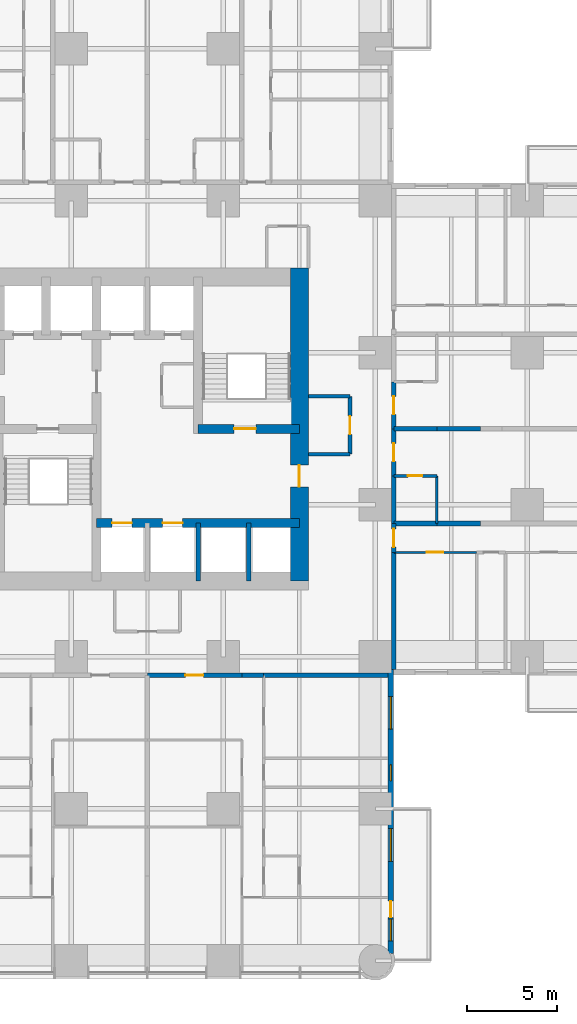
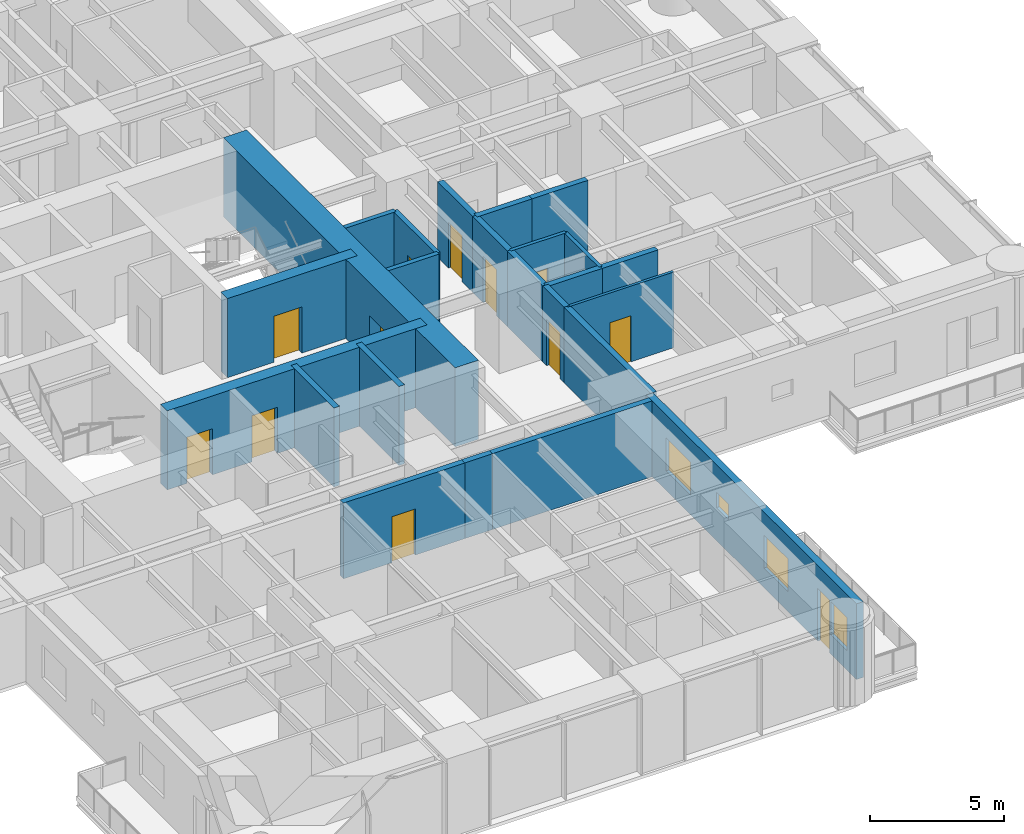
# One storey, part 10 of 17: 24 walls, 12 doors, 4 windows, 16 openings.
"""IFC4 building model written with IfcOpenShell, lengths in metres."""

from ifc_helpers import new_model, si_unit, direction, frame, frame_2d, origin, place, context, subcontext, project, spatial, rectangle, extrude, material, layer, layer_set, type_object, element, fill, save


model = new_model("IFC4")

# Units and contexts
model_context = context("Model", 3, precision=1e-05, world=origin(), true_north=direction((0.0, 1.0)))
body_context = subcontext(model_context, "Body", "Model", "MODEL_VIEW")
ifc_project = project(units=[si_unit("LENGTHUNIT", "METRE"), si_unit("AREAUNIT", "SQUARE_METRE"), si_unit("VOLUMEUNIT", "CUBIC_METRE"), si_unit("PLANEANGLEUNIT", "RADIAN"), si_unit("MASSUNIT", "GRAM", prefix="KILO")], contexts=[model_context])

# Site, building, storey
site_placement = place(None, origin())
site = spatial("IfcSite", under=ifc_project, at=site_placement, CompositionType="ELEMENT")
building_placement = place(site_placement, origin())
building = spatial("IfcBuilding", under=site, at=building_placement, Name="Torre Alcanfor", CompositionType="ELEMENT")
storey_placement = place(building_placement, frame((0.0, 0.0, 88.5)))
storey = spatial("IfcBuildingStorey", under=building, at=storey_placement, Name="L22", CompositionType="ELEMENT", Elevation=88.5)

# Wall, opening, door
ifc_material_1 = material(Name="Concrete block masonry, hollow blocks NMX-C-404 9 MPa", Category="masonry")
ifc_layer_1 = layer(ifc_material_1, 0.25)
ifc_layer_set_1 = layer_set([ifc_layer_1], Name="Apartment entrance wall 250 EI 60")
wall_type_1 = type_object("IfcWallType", Name="Apartment entrance wall 250 EI 60", PredefinedType="PARTITIONING", material=ifc_layer_set_1)
wall_1_placement = place(storey_placement, frame((43.02490234375, 32.0, 0.0), z_axis=(0.0, 0.0, 1.0), x_axis=(0.0, -1.0, 0.0)))
wall_1 = element("IfcWall", 1, at=wall_1_placement, inside=storey, type_object=wall_type_1, Name="Partition L22-CORR / L22-E1A-FOYER", PredefinedType="PARTITIONING", context=body_context, shape_type="SweptSolid", body=[
    extrude(rectangle(XDim=2.60009765625, YDim=0.25, at=frame_2d((1.300048828125, 0.0))), origin(), (0.0, 0.0, 1.0), 3.449951171875),
])
opening_1_placement = place(wall_1_placement, frame((0.800048828125, 0.0, 0.0)))
opening_1 = element("IfcOpeningElement", 2, at=opening_1_placement, cuts=wall_1, Name="Opening D-A1", PredefinedType="OPENING", context=body_context, shape_type="SweptSolid", body=[
    extrude(rectangle(XDim=1.0, YDim=2.10009765625, at=frame_2d((0.5, 1.050048828125))), frame((0.0, 0.135009765625, 0.0), z_axis=(0.0, -1.0, 0.0), x_axis=(1.0, 0.0, 0.0)), (0.0, 0.0, 1.0), 0.27001953125),
])
ifc_material_2 = material(Name="Galvanised steel sheet ASTM A653", Category="steel")
door_type_1 = type_object("IfcDoorType", Name="Apartment entrance door FD60 1000x2100", OperationType="SINGLE_SWING_LEFT", PredefinedType="DOOR", material=ifc_material_2)
door_1_placement = place(opening_1_placement, origin())
door_1 = element("IfcDoor", 3, at=door_1_placement, inside=storey, type_object=door_type_1, Name="Apartment entrance L22-E1A", OperationType="SINGLE_SWING_LEFT", OverallHeight=2.10009765625, OverallWidth=1.0, PredefinedType="DOOR", context=body_context, shape_type="SweptSolid", body=[
    extrude(rectangle(XDim=1.0, YDim=2.10009765625, at=frame_2d((0.5, 1.050048828125))), frame((0.0, 0.02490234375, 0.0), z_axis=(0.0, -1.0, 0.0), x_axis=(1.0, 0.0, 0.0)), (0.0, 0.0, 1.0), 0.050048828125),
])
fill(opening_1, door_1)

wall_2_placement = place(storey_placement, frame((43.02490234375, 29.39990234375, 0.0), z_axis=(0.0, 0.0, 1.0), x_axis=(0.0, -1.0, 0.0)))
wall_2 = element("IfcWall", 4, at=wall_2_placement, inside=storey, type_object=wall_type_1, Name="Partition L22-CORR / L22-E2A-FOYER", PredefinedType="PARTITIONING", context=body_context, shape_type="SweptSolid", body=[
    extrude(rectangle(XDim=2.599853515625, YDim=0.25, at=frame_2d((1.2998046875, 0.0))), origin(), (0.0, 0.0, 1.0), 3.449951171875),
])
opening_2_placement = place(wall_2_placement, frame((0.800048828125, 0.0, 0.0)))
opening_2 = element("IfcOpeningElement", 5, at=opening_2_placement, cuts=wall_2, Name="Opening D-A1", PredefinedType="OPENING", context=body_context, shape_type="SweptSolid", body=[
    extrude(rectangle(XDim=1.0, YDim=2.10009765625, at=frame_2d((0.5, 1.050048828125))), frame((0.0, 0.135009765625, 0.0), z_axis=(0.0, -1.0, 0.0), x_axis=(1.0, 0.0, 0.0)), (0.0, 0.0, 1.0), 0.27001953125),
])
door_2_placement = place(opening_2_placement, origin())
door_2 = element("IfcDoor", 6, at=door_2_placement, inside=storey, type_object=door_type_1, Name="Apartment entrance L22-E2A", OperationType="SINGLE_SWING_LEFT", OverallHeight=2.10009765625, OverallWidth=1.0, PredefinedType="DOOR", context=body_context, shape_type="SweptSolid", body=[
    extrude(rectangle(XDim=1.0, YDim=2.10009765625, at=frame_2d((0.5, 1.050048828125))), frame((0.0, 0.02490234375, 0.0), z_axis=(0.0, -1.0, 0.0), x_axis=(1.0, 0.0, 0.0)), (0.0, 0.0, 1.0), 0.050048828125),
])
fill(opening_2, door_2)

# Wall
wall_3_placement = place(storey_placement, frame((43.02490234375, 26.800048828125, 0.0), z_axis=(0.0, 0.0, 1.0), x_axis=(0.0, -1.0, 0.0)))
element("IfcWall", 7, at=wall_3_placement, inside=storey, type_object=wall_type_1, Name="Partition L22-CORR / L22-E2A-BATH", PredefinedType="PARTITIONING", context=body_context, shape_type="SweptSolid", body=[
    extrude(rectangle(XDim=2.629150390625, YDim=0.25, at=frame_2d((1.314453125, 0.0))), origin(), (0.0, 0.0, 1.0), 3.449951171875),
])

# Wall, opening, door
wall_4_placement = place(storey_placement, frame((43.02490234375, 24.1708984375, 0.0), z_axis=(0.0, 0.0, 1.0), x_axis=(0.0, -1.0, 0.0)))
wall_4 = element("IfcWall", 8, at=wall_4_placement, inside=storey, type_object=wall_type_1, Name="Partition L22-CORR / L22-E2B-HALL", PredefinedType="PARTITIONING", context=body_context, shape_type="SweptSolid", body=[
    extrude(rectangle(XDim=1.599853515625, YDim=0.25, at=frame_2d((0.7998046875, 0.0))), origin(), (0.0, 0.0, 1.0), 3.449951171875),
])
opening_3_placement = place(wall_4_placement, frame((0.300048828125, 0.0, 0.0)))
opening_3 = element("IfcOpeningElement", 9, at=opening_3_placement, cuts=wall_4, Name="Opening D-A1", PredefinedType="OPENING", context=body_context, shape_type="SweptSolid", body=[
    extrude(rectangle(XDim=1.0, YDim=2.10009765625, at=frame_2d((0.5, 1.050048828125))), frame((0.0, 0.135009765625, 0.0), z_axis=(0.0, -1.0, 0.0), x_axis=(1.0, 0.0, 0.0)), (0.0, 0.0, 1.0), 0.27001953125),
])
door_3_placement = place(opening_3_placement, origin())
door_3 = element("IfcDoor", 10, at=door_3_placement, inside=storey, type_object=door_type_1, Name="Apartment entrance L22-E2B", OperationType="SINGLE_SWING_LEFT", OverallHeight=2.10009765625, OverallWidth=1.0, PredefinedType="DOOR", context=body_context, shape_type="SweptSolid", body=[
    extrude(rectangle(XDim=1.0, YDim=2.10009765625, at=frame_2d((0.5, 1.050048828125))), frame((0.0, 0.02490234375, 0.0), z_axis=(0.0, -1.0, 0.0), x_axis=(1.0, 0.0, 0.0)), (0.0, 0.0, 1.0), 0.050048828125),
])
fill(opening_3, door_3)

# Wall
wall_5_placement = place(storey_placement, frame((43.02490234375, 22.571044921875, 0.0), z_axis=(0.0, 0.0, 1.0), x_axis=(0.0, -1.0, 0.0)))
element("IfcWall", 11, at=wall_5_placement, inside=storey, type_object=wall_type_1, Name="Partition L22-CORR / L22-E2B-MASTER", PredefinedType="PARTITIONING", context=body_context, shape_type="SweptSolid", body=[
    extrude(rectangle(XDim=6.470947265625, YDim=0.25, at=frame_2d((3.2353515625, 0.0))), origin(), (0.0, 0.0, 1.0), 3.449951171875),
])

# Wall, opening, door
wall_6_placement = place(storey_placement, frame((34.62890625, 15.77490234375, 0.0), z_axis=(0.0, 0.0, 1.0), x_axis=(-1.0, 0.0, 0.0)))
wall_6 = element("IfcWall", 12, at=wall_6_placement, inside=storey, type_object=wall_type_1, Name="Partition L22-CORR / L22-S1-ZAG", PredefinedType="PARTITIONING", context=body_context, shape_type="SweptSolid", body=[
    extrude(rectangle(XDim=5.22900390625, YDim=0.25, at=frame_2d((2.614501953125, 0.0))), origin(), (0.0, 0.0, 1.0), 3.449951171875),
])
opening_4_placement = place(wall_6_placement, frame((2.12890625, 0.0, 0.0)))
opening_4 = element("IfcOpeningElement", 13, at=opening_4_placement, cuts=wall_6, Name="Opening D-A1", PredefinedType="OPENING", context=body_context, shape_type="SweptSolid", body=[
    extrude(rectangle(XDim=1.0, YDim=2.10009765625, at=frame_2d((0.5, 1.050048828125))), frame((0.0, 0.135009765625, 0.0), z_axis=(0.0, -1.0, 0.0), x_axis=(1.0, 0.0, 0.0)), (0.0, 0.0, 1.0), 0.27001953125),
])
door_4_placement = place(opening_4_placement, origin())
door_4 = element("IfcDoor", 14, at=door_4_placement, inside=storey, type_object=door_type_1, Name="Apartment entrance L22-S1", OperationType="SINGLE_SWING_RIGHT", OverallHeight=2.10009765625, OverallWidth=1.0, PredefinedType="DOOR", context=body_context, shape_type="SweptSolid", body=[
    extrude(rectangle(XDim=1.0, YDim=2.10009765625, at=frame_2d((0.5, 1.050048828125))), frame((0.0, 0.02490234375, 0.0), z_axis=(0.0, -1.0, 0.0), x_axis=(1.0, 0.0, 0.0)), (0.0, 0.0, 1.0), 0.050048828125),
])
fill(opening_4, door_4)

# Walls
wall_7_placement = place(storey_placement, frame((35.8291015625, 15.77490234375, 0.0), z_axis=(0.0, 0.0, 1.0), x_axis=(-1.0, 0.0, 0.0)))
element("IfcWall", 15, at=wall_7_placement, inside=storey, type_object=wall_type_1, Name="Partition L22-CORR / L22-S1-HALL", PredefinedType="PARTITIONING", context=body_context, shape_type="SweptSolid", body=[
    extrude(rectangle(XDim=1.2001953125, YDim=0.25, at=frame_2d((0.60009765625, 0.0))), origin(), (0.0, 0.0, 1.0), 3.449951171875),
])
wall_8_placement = place(storey_placement, frame((42.699951171875, 15.77490234375, 0.0), z_axis=(0.0, 0.0, 1.0), x_axis=(-1.0, 0.0, 0.0)))
element("IfcWall", 16, at=wall_8_placement, inside=storey, type_object=wall_type_1, Name="Partition L22-CORR / L22-S1-BED2", PredefinedType="PARTITIONING", context=body_context, shape_type="SweptSolid", body=[
    extrude(rectangle(XDim=6.870849609375, YDim=0.25, at=frame_2d((3.435546875, 0.0))), origin(), (0.0, 0.0, 1.0), 3.449951171875),
])

# Wall, opening, door
ifc_material_3 = material(Name="Gypsum board on steel studs", Category="steel")
ifc_layer_2 = layer(ifc_material_3, 0.1201171875)
ifc_layer_set_2 = layer_set([ifc_layer_2], Name="Apartment partition 120")
wall_type_2 = type_object("IfcWallType", Name="Apartment partition 120", PredefinedType="PARTITIONING", material=ifc_layer_set_2)
wall_9_placement = place(storey_placement, frame((47.60009765625, 22.571044921875, 0.0), z_axis=(0.0, 0.0, 1.0), x_axis=(-1.0, 0.0, 0.0)))
wall_9 = element("IfcWall", 17, at=wall_9_placement, inside=storey, type_object=wall_type_2, Name="Partition L22-E2B-HALL / L22-E2B-MASTER", PredefinedType="PARTITIONING", context=body_context, shape_type="SweptSolid", body=[
    extrude(rectangle(XDim=4.5751953125, YDim=0.1201171875, at=frame_2d((2.28759765625, 0.0))), origin(), (0.0, 0.0, 1.0), 3.449951171875),
])
opening_5_placement = place(wall_9_placement, frame((1.85009765625, 0.0, 0.0)))
opening_5 = element("IfcOpeningElement", 18, at=opening_5_placement, cuts=wall_9, Name="Opening D-R1", PredefinedType="OPENING", context=body_context, shape_type="SweptSolid", body=[
    extrude(rectangle(XDim=0.89990234375, YDim=2.10009765625, at=frame_2d((0.449951171875, 1.050048828125))), frame((0.0, 0.070068359375, 0.0), z_axis=(0.0, -1.0, 0.0), x_axis=(1.0, 0.0, 0.0)), (0.0, 0.0, 1.0), 0.14013671875),
])
ifc_material_4 = material(Name="Timber", Category="wood")
door_type_2 = type_object("IfcDoorType", Name="Internal door 900x2100", OperationType="SINGLE_SWING_LEFT", PredefinedType="DOOR", material=ifc_material_4)
door_5_placement = place(opening_5_placement, origin())
door_5 = element("IfcDoor", 19, at=door_5_placement, inside=storey, type_object=door_type_2, Name="Door L22-E2B master", OperationType="SINGLE_SWING_RIGHT", OverallHeight=2.10009765625, OverallWidth=0.89990234375, PredefinedType="DOOR", context=body_context, shape_type="SweptSolid", body=[
    extrude(rectangle(XDim=0.89990234375, YDim=2.10009765625, at=frame_2d((0.449951171875, 1.050048828125))), frame((0.0, 0.02490234375, 0.0), z_axis=(0.0, -1.0, 0.0), x_axis=(1.0, 0.0, 0.0)), (0.0, 0.0, 1.0), 0.050048828125),
])
fill(opening_5, door_5)

# Wall, openings, doors
ifc_material_5 = material(Name="Concrete f'c 70 MPa", Category="concrete")
ifc_layer_3 = layer(ifc_material_5, 0.5)
ifc_layer_set_3 = layer_set([ifc_layer_3], Name="Core inner wall 500 f'c70")
wall_type_3 = type_object("IfcWallType", Name="Core inner wall 500 f'c70", PredefinedType="SHEAR", material=ifc_layer_set_3)
wall_10_placement = place(storey_placement, frame((26.60009765625, 24.199951171875, 0.0), z_axis=(0.0, 0.0, 1.0), x_axis=(1.0, 0.0, 0.0)))
wall_10 = element("IfcWall", 20, at=wall_10_placement, inside=storey, type_object=wall_type_3, Name="Core wall Y242 L22", PredefinedType="SHEAR", context=body_context, shape_type="SweptSolid", body=[
    extrude(rectangle(XDim=11.199951171875, YDim=0.5, at=frame_2d((5.60009765625, 0.0))), origin(), (0.0, 0.0, 1.0), 3.60009765625),
])
opening_6_placement = place(wall_10_placement, frame((0.85009765625, 0.0, 0.0)))
opening_6 = element("IfcOpeningElement", 21, at=opening_6_placement, cuts=wall_10, Name="Opening LD1", PredefinedType="OPENING", context=body_context, shape_type="SweptSolid", body=[
    extrude(rectangle(XDim=1.10009765625, YDim=2.10009765625, at=frame_2d((0.550048828125, 1.050048828125))), frame((0.0, 0.260009765625, 0.0), z_axis=(0.0, -1.0, 0.0), x_axis=(1.0, 0.0, 0.0)), (0.0, 0.0, 1.0), 0.52001953125),
])
opening_7_placement = place(wall_10_placement, frame((3.64990234375, 0.0, 0.0)))
opening_7 = element("IfcOpeningElement", 22, at=opening_7_placement, cuts=wall_10, Name="Opening LD1", PredefinedType="OPENING", context=body_context, shape_type="SweptSolid", body=[
    extrude(rectangle(XDim=1.10009765625, YDim=2.10009765625, at=frame_2d((0.550048828125, 1.050048828125))), frame((0.0, 0.260009765625, 0.0), z_axis=(0.0, -1.0, 0.0), x_axis=(1.0, 0.0, 0.0)), (0.0, 0.0, 1.0), 0.52001953125),
])
ifc_material_6 = material(Name="Galvanised steel sheet ASTM A653", Category="steel")
door_type_3 = type_object("IfcDoorType", Name="Lift landing door 1100x2100", OperationType="DOUBLE_DOOR_SLIDING", PredefinedType="DOOR", material=ifc_material_6)
door_6_placement = place(opening_6_placement, origin())
door_6 = element("IfcDoor", 23, at=door_6_placement, inside=storey, type_object=door_type_3, Name="Lift landing door PA1 L22", OperationType="DOUBLE_DOOR_SLIDING", OverallHeight=2.10009765625, OverallWidth=1.10009765625, PredefinedType="DOOR", context=body_context, shape_type="SweptSolid", body=[
    extrude(rectangle(XDim=1.10009765625, YDim=2.10009765625, at=frame_2d((0.550048828125, 1.050048828125))), frame((0.0, 0.02490234375, 0.0), z_axis=(0.0, -1.0, 0.0), x_axis=(1.0, 0.0, 0.0)), (0.0, 0.0, 1.0), 0.050048828125),
])
fill(opening_6, door_6)
door_7_placement = place(opening_7_placement, origin())
door_7 = element("IfcDoor", 24, at=door_7_placement, inside=storey, type_object=door_type_3, Name="Lift landing door PA2 L22", OperationType="DOUBLE_DOOR_SLIDING", OverallHeight=2.10009765625, OverallWidth=1.10009765625, PredefinedType="DOOR", context=body_context, shape_type="SweptSolid", body=[
    extrude(rectangle(XDim=1.10009765625, YDim=2.10009765625, at=frame_2d((0.550048828125, 1.050048828125))), frame((0.0, 0.02490234375, 0.0), z_axis=(0.0, -1.0, 0.0), x_axis=(1.0, 0.0, 0.0)), (0.0, 0.0, 1.0), 0.050048828125),
])
fill(opening_7, door_7)

# Wall, opening, door
wall_11_placement = place(storey_placement, frame((32.199951171875, 29.39990234375, 0.0), z_axis=(0.0, 0.0, 1.0), x_axis=(1.0, 0.0, 0.0)))
wall_11 = element("IfcWall", 25, at=wall_11_placement, inside=storey, type_object=wall_type_3, Name="Core wall Y294E L22", PredefinedType="SHEAR", context=body_context, shape_type="SweptSolid", body=[
    extrude(rectangle(XDim=5.60009765625, YDim=0.5, at=frame_2d((2.800048828125, 0.0))), origin(), (0.0, 0.0, 1.0), 3.60009765625),
])
opening_8_placement = place(wall_11_placement, frame((2.0, 0.0, 0.0)))
opening_8 = element("IfcOpeningElement", 26, at=opening_8_placement, cuts=wall_11, Name="Opening D-S2", PredefinedType="OPENING", context=body_context, shape_type="SweptSolid", body=[
    extrude(rectangle(XDim=1.199951171875, YDim=2.10009765625, at=frame_2d((0.60009765625, 1.050048828125))), frame((0.0, 0.260009765625, 0.0), z_axis=(0.0, -1.0, 0.0), x_axis=(1.0, 0.0, 0.0)), (0.0, 0.0, 1.0), 0.52001953125),
])
ifc_material_7 = material(Name="Galvanised steel sheet ASTM A653", Category="steel")
door_type_4 = type_object("IfcDoorType", Name="Stair enclosure door FD120 1200x2100", OperationType="SINGLE_SWING_LEFT", PredefinedType="DOOR", material=ifc_material_7)
door_8_placement = place(opening_8_placement, origin())
door_8 = element("IfcDoor", 27, at=door_8_placement, inside=storey, type_object=door_type_4, Name="Stair S2 door L22", OperationType="SINGLE_SWING_LEFT", OverallHeight=2.10009765625, OverallWidth=1.199951171875, PredefinedType="DOOR", context=body_context, shape_type="SweptSolid", body=[
    extrude(rectangle(XDim=1.199951171875, YDim=2.10009765625, at=frame_2d((0.60009765625, 1.050048828125))), frame((0.0, 0.02490234375, 0.0), z_axis=(0.0, -1.0, 0.0), x_axis=(1.0, 0.0, 0.0)), (0.0, 0.0, 1.0), 0.050048828125),
])
fill(opening_8, door_8)

# Walls
ifc_material_8 = material(Name="Concrete f'c 70 MPa", Category="concrete")
ifc_layer_4 = layer(ifc_material_8, 0.25)
ifc_layer_set_4 = layer_set([ifc_layer_4], Name="Core shaft wall 250 f'c70")
wall_type_4 = type_object("IfcWallType", Name="Core shaft wall 250 f'c70", PredefinedType="SHEAR", material=ifc_layer_set_4)
for number, where, z_axis, x_axis, name in (
    (28, (32.199951171875, 21.0, 0.0), (0.0, 0.0, 1.0), (0.0, 1.0, 0.0), "Core wall X322S L22"),
    (29, (35.0, 21.0, 0.0), (0.0, 0.0, 1.0), (0.0, 1.0, 0.0), "Core wall X350S L22"),
):
    element("IfcWall", number, at=place(storey_placement, frame(where, z_axis=z_axis, x_axis=x_axis)), inside=storey, type_object=wall_type_4, Name=name, PredefinedType="SHEAR", context=body_context, shape_type="SweptSolid", body=[
        extrude(rectangle(XDim=3.199951171875, YDim=0.25, at=frame_2d((1.60009765625, 0.0))), origin(), (0.0, 0.0, 1.0), 3.60009765625),
    ])

# Wall, opening, door
ifc_material_9 = material(Name="Concrete f'c 70 MPa", Category="concrete")
ifc_layer_5 = layer(ifc_material_9, 1.0)
ifc_layer_set_5 = layer_set([ifc_layer_5], Name="Core wall 1000 f'c70")
wall_type_5 = type_object("IfcWallType", Name="Core wall 1000 f'c70", PredefinedType="SHEAR", material=ifc_layer_set_5)
wall_12_placement = place(storey_placement, frame((37.800048828125, 21.0, 0.0), z_axis=(0.0, 0.0, 1.0), x_axis=(0.0, 1.0, 0.0)))
wall_12 = element("IfcWall", 30, at=wall_12_placement, inside=storey, type_object=wall_type_5, Name="Core wall OUT-E L22", PredefinedType="SHEAR", context=body_context, shape_type="SweptSolid", body=[
    extrude(rectangle(XDim=17.300048828125, YDim=1.0, at=frame_2d((8.64990234375, 0.0))), origin(), (0.0, 0.0, 1.0), 3.60009765625),
])
opening_9_placement = place(wall_12_placement, frame((5.199951171875, 0.0, 0.0)))
opening_9 = element("IfcOpeningElement", 31, at=opening_9_placement, cuts=wall_12, Name="Opening D-L1", PredefinedType="OPENING", context=body_context, shape_type="SweptSolid", body=[
    extrude(rectangle(XDim=1.199951171875, YDim=2.10009765625, at=frame_2d((0.60009765625, 1.050048828125))), frame((0.0, 0.510009765625, 0.0), z_axis=(0.0, -1.0, 0.0), x_axis=(1.0, 0.0, 0.0)), (0.0, 0.0, 1.0), 1.02001953125),
])
ifc_material_10 = material(Name="Galvanised steel sheet ASTM A653", Category="steel")
door_type_5 = type_object("IfcDoorType", Name="Lobby door FD120 1200x2100", OperationType="SINGLE_SWING_LEFT", PredefinedType="DOOR", material=ifc_material_10)
door_9_placement = place(opening_9_placement, origin())
door_9 = element("IfcDoor", 32, at=door_9_placement, inside=storey, type_object=door_type_5, Name="Lift lobby entrance door L22", OperationType="SINGLE_SWING_LEFT", OverallHeight=2.10009765625, OverallWidth=1.199951171875, PredefinedType="DOOR", context=body_context, shape_type="SweptSolid", body=[
    extrude(rectangle(XDim=1.199951171875, YDim=2.10009765625, at=frame_2d((0.60009765625, 1.050048828125))), frame((0.0, 0.02490234375, 0.0), z_axis=(0.0, -1.0, 0.0), x_axis=(1.0, 0.0, 0.0)), (0.0, 0.0, 1.0), 0.050048828125),
])
fill(opening_9, door_9)

# Wall, openings, door, windows
ifc_material_11 = material(Name="Limestone cladding", Category="masonry")
ifc_layer_6 = layer(ifc_material_11, 0.0400390625, Name="Facing")
ifc_material_12 = material(Name="Ventilated air cavity")
ifc_layer_7 = layer(ifc_material_12, 0.02001953125, ventilated=True, Name="Ventilated joint")
ifc_material_13 = material(Name="Mineral wool insulation", Category="insulation")
ifc_layer_8 = layer(ifc_material_13, 0.10009765625, Name="Insulation")
ifc_material_14 = material(Name="Concrete f'c 35 MPa", Category="concrete")
ifc_layer_9 = layer(ifc_material_14, 0.139892578125, Name="Backing")
ifc_layer_set_6 = layer_set([ifc_layer_6, ifc_layer_7, ifc_layer_8, ifc_layer_9], Name="External wall stone-clad 300")
wall_type_6 = type_object("IfcWallType", Name="External wall stone-clad 300", PredefinedType="SOLIDWALL", material=ifc_layer_set_6)
wall_13_placement = place(storey_placement, frame((42.85009765625, 0.39990234375, 0.0), z_axis=(0.0, 0.0, 1.0), x_axis=(0.0, 1.0, 0.0)))
wall_13 = element("IfcWall", 33, at=wall_13_placement, inside=storey, type_object=wall_type_6, Name="External wall L22 6", PredefinedType="SOLIDWALL", context=body_context, shape_type="SweptSolid", body=[
    extrude(rectangle(XDim=15.7001953125, YDim=0.300048828125, at=frame_2d((7.85009765625, 0.0))), origin(), (0.0, 0.0, 1.0), 3.449951171875),
])
opening_10_placement = place(wall_13_placement, frame((12.39990234375, 0.0, 0.89990234375)))
opening_10 = element("IfcOpeningElement", 34, at=opening_10_placement, cuts=wall_13, Name="Opening W2", PredefinedType="OPENING", context=body_context, shape_type="SweptSolid", body=[
    extrude(rectangle(XDim=1.800048828125, YDim=1.5, at=frame_2d((0.89990234375, 0.75))), frame((0.0, 0.159912109375, 0.0), z_axis=(0.0, -1.0, 0.0), x_axis=(1.0, 0.0, 0.0)), (0.0, 0.0, 1.0), 0.320068359375),
])
opening_11_placement = place(wall_13_placement, frame((9.550048828125, 0.0, 1.5)))
opening_11 = element("IfcOpeningElement", 35, at=opening_11_placement, cuts=wall_13, Name="Opening W3", PredefinedType="OPENING", context=body_context, shape_type="SweptSolid", body=[
    extrude(rectangle(XDim=0.89990234375, YDim=0.699951171875, at=frame_2d((0.449951171875, 0.35009765625))), frame((0.0, 0.159912109375, 0.0), z_axis=(0.0, -1.0, 0.0), x_axis=(1.0, 0.0, 0.0)), (0.0, 0.0, 1.0), 0.320068359375),
])
opening_12_placement = place(wall_13_placement, frame((5.10009765625, 0.0, 0.89990234375)))
opening_12 = element("IfcOpeningElement", 36, at=opening_12_placement, cuts=wall_13, Name="Opening W2", PredefinedType="OPENING", context=body_context, shape_type="SweptSolid", body=[
    extrude(rectangle(XDim=1.800048828125, YDim=1.5, at=frame_2d((0.89990234375, 0.75))), frame((0.0, 0.159912109375, 0.0), z_axis=(0.0, -1.0, 0.0), x_axis=(1.0, 0.0, 0.0)), (0.0, 0.0, 1.0), 0.320068359375),
])
opening_13_placement = place(wall_13_placement, frame((2.0, 0.0, 0.0)))
opening_13 = element("IfcOpeningElement", 37, at=opening_13_placement, cuts=wall_13, Name="Opening D-B1", PredefinedType="OPENING", context=body_context, shape_type="SweptSolid", body=[
    extrude(rectangle(XDim=0.89990234375, YDim=2.39990234375, at=frame_2d((0.449951171875, 1.199951171875))), frame((0.0, 0.159912109375, 0.0), z_axis=(0.0, -1.0, 0.0), x_axis=(1.0, 0.0, 0.0)), (0.0, 0.0, 1.0), 0.320068359375),
])
opening_14_placement = place(wall_13_placement, frame((0.699951171875, 0.0, 0.89990234375)))
opening_14 = element("IfcOpeningElement", 38, at=opening_14_placement, cuts=wall_13, Name="Opening W4", PredefinedType="OPENING", context=body_context, shape_type="SweptSolid", body=[
    extrude(rectangle(XDim=1.199951171875, YDim=1.5, at=frame_2d((0.60009765625, 0.75))), frame((0.0, 0.159912109375, 0.0), z_axis=(0.0, -1.0, 0.0), x_axis=(1.0, 0.0, 0.0)), (0.0, 0.0, 1.0), 0.320068359375),
])
ifc_material_15 = material(Name="Aluminium and glass", Category="aluminium")
door_type_6 = type_object("IfcDoorType", Name="Balcony door glazed 900x2400", OperationType="SINGLE_SWING_LEFT", PredefinedType="DOOR", material=ifc_material_15)
door_10_placement = place(opening_13_placement, origin())
door_10 = element("IfcDoor", 39, at=door_10_placement, inside=storey, type_object=door_type_6, Name="Balcony door L22-S1", OperationType="SINGLE_SWING_RIGHT", OverallHeight=2.39990234375, OverallWidth=0.89990234375, PredefinedType="DOOR", context=body_context, shape_type="SweptSolid", body=[
    extrude(rectangle(XDim=0.89990234375, YDim=2.39990234375, at=frame_2d((0.449951171875, 1.199951171875))), frame((0.0, 0.02490234375, 0.0), z_axis=(0.0, -1.0, 0.0), x_axis=(1.0, 0.0, 0.0)), (0.0, 0.0, 1.0), 0.050048828125),
])
fill(opening_13, door_10)
ifc_material_16 = material(Name="Aluminium frame with clear double glazing", Category="aluminium")
window_type_1 = type_object("IfcWindowType", Name="Window bathroom 900x700", PartitioningType="SINGLE_PANEL", PredefinedType="WINDOW", material=ifc_material_16)
window_1_placement = place(opening_11_placement, origin())
window_1 = element("IfcWindow", 40, at=window_1_placement, inside=storey, type_object=window_type_1, Name="Window W3 L22-S1", OverallHeight=0.699951171875, OverallWidth=0.89990234375, PartitioningType="SINGLE_PANEL", PredefinedType="WINDOW", context=body_context, shape_type="SweptSolid", body=[
    extrude(rectangle(XDim=0.89990234375, YDim=0.699951171875, at=frame_2d((0.449951171875, 0.35009765625))), frame((0.0, 0.030029296875, 0.0), z_axis=(0.0, -1.0, 0.0), x_axis=(1.0, 0.0, 0.0)), (0.0, 0.0, 1.0), 0.06005859375),
])
fill(opening_11, window_1)
ifc_material_17 = material(Name="Aluminium frame with clear double glazing", Category="aluminium")
window_type_2 = type_object("IfcWindowType", Name="Window bedroom 1200x1500", PartitioningType="SINGLE_PANEL", PredefinedType="WINDOW", material=ifc_material_17)
window_2_placement = place(opening_14_placement, origin())
window_2 = element("IfcWindow", 41, at=window_2_placement, inside=storey, type_object=window_type_2, Name="Window W4 L22-S1", OverallHeight=1.5, OverallWidth=1.199951171875, PartitioningType="SINGLE_PANEL", PredefinedType="WINDOW", context=body_context, shape_type="SweptSolid", body=[
    extrude(rectangle(XDim=1.199951171875, YDim=1.5, at=frame_2d((0.60009765625, 0.75))), frame((0.0, 0.030029296875, 0.0), z_axis=(0.0, -1.0, 0.0), x_axis=(1.0, 0.0, 0.0)), (0.0, 0.0, 1.0), 0.06005859375),
])
fill(opening_14, window_2)
ifc_material_18 = material(Name="Aluminium frame with clear double glazing", Category="aluminium")
window_type_3 = type_object("IfcWindowType", Name="Window bedroom 1800x1500", PartitioningType="SINGLE_PANEL", PredefinedType="WINDOW", material=ifc_material_18)
window_3_placement = place(opening_10_placement, origin())
window_3 = element("IfcWindow", 42, at=window_3_placement, inside=storey, type_object=window_type_3, Name="Window W2 L22-S1", OverallHeight=1.5, OverallWidth=1.800048828125, PartitioningType="SINGLE_PANEL", PredefinedType="WINDOW", context=body_context, shape_type="SweptSolid", body=[
    extrude(rectangle(XDim=1.800048828125, YDim=1.5, at=frame_2d((0.89990234375, 0.75))), frame((0.0, 0.030029296875, 0.0), z_axis=(0.0, -1.0, 0.0), x_axis=(1.0, 0.0, 0.0)), (0.0, 0.0, 1.0), 0.06005859375),
])
fill(opening_10, window_3)
window_4_placement = place(opening_12_placement, origin())
window_4 = element("IfcWindow", 43, at=window_4_placement, inside=storey, type_object=window_type_3, Name="Window W2 L22-S1", OverallHeight=1.5, OverallWidth=1.800048828125, PartitioningType="SINGLE_PANEL", PredefinedType="WINDOW", context=body_context, shape_type="SweptSolid", body=[
    extrude(rectangle(XDim=1.800048828125, YDim=1.5, at=frame_2d((0.89990234375, 0.75))), frame((0.0, 0.030029296875, 0.0), z_axis=(0.0, -1.0, 0.0), x_axis=(1.0, 0.0, 0.0)), (0.0, 0.0, 1.0), 0.06005859375),
])
fill(opening_12, window_4)

# Walls
ifc_material_19 = material(Name="Concrete block masonry, hollow blocks NMX-C-404 9 MPa", Category="masonry")
ifc_layer_10 = layer(ifc_material_19, 0.25)
ifc_layer_set_7 = layer_set([ifc_layer_10], Name="Party wall 250 EI 60")
wall_type_7 = type_object("IfcWallType", Name="Party wall 250 EI 60", PredefinedType="PARTITIONING", material=ifc_layer_set_7)
wall_14_placement = place(storey_placement, frame((43.02490234375, 29.39990234375, 0.0), z_axis=(0.0, 0.0, 1.0), x_axis=(1.0, 0.0, 0.0)))
element("IfcWall", 44, at=wall_14_placement, inside=storey, type_object=wall_type_7, Name="Partition L22-E1A-FOYER / L22-E2A-FOYER", PredefinedType="PARTITIONING", context=body_context, shape_type="SweptSolid", body=[
    extrude(rectangle(XDim=2.375, YDim=0.25, at=frame_2d((1.1875, 0.0))), origin(), (0.0, 0.0, 1.0), 3.449951171875),
])
wall_15_placement = place(storey_placement, frame((45.39990234375, 29.39990234375, 0.0), z_axis=(0.0, 0.0, 1.0), x_axis=(1.0, 0.0, 0.0)))
element("IfcWall", 45, at=wall_15_placement, inside=storey, type_object=wall_type_7, Name="Partition L22-E1A-KITCHEN / L22-E2A-KITCHEN", PredefinedType="PARTITIONING", context=body_context, shape_type="SweptSolid", body=[
    extrude(rectangle(XDim=2.400146484375, YDim=0.25, at=frame_2d((1.2001953125, 0.0))), origin(), (0.0, 0.0, 1.0), 3.449951171875),
])
wall_16_placement = place(storey_placement, frame((45.39990234375, 24.1708984375, 0.0), z_axis=(0.0, 0.0, 1.0), x_axis=(-1.0, 0.0, 0.0)))
element("IfcWall", 46, at=wall_16_placement, inside=storey, type_object=wall_type_7, Name="Partition L22-E2A-BATH / L22-E2B-HALL", PredefinedType="PARTITIONING", context=body_context, shape_type="SweptSolid", body=[
    extrude(rectangle(XDim=2.375, YDim=0.25, at=frame_2d((1.1875, 0.0))), origin(), (0.0, 0.0, 1.0), 3.449951171875),
])
wall_17_placement = place(storey_placement, frame((47.800048828125, 24.1708984375, 0.0), z_axis=(0.0, 0.0, 1.0), x_axis=(-1.0, 0.0, 0.0)))
element("IfcWall", 47, at=wall_17_placement, inside=storey, type_object=wall_type_7, Name="Partition L22-E2A-KITCHEN / L22-E2B-HALL", PredefinedType="PARTITIONING", context=body_context, shape_type="SweptSolid", body=[
    extrude(rectangle(XDim=2.400146484375, YDim=0.25, at=frame_2d((1.2001953125, 0.0))), origin(), (0.0, 0.0, 1.0), 3.449951171875),
])
ifc_material_20 = material(Name="Concrete block masonry, hollow blocks NMX-C-404 9 MPa", Category="masonry")
ifc_layer_11 = layer(ifc_material_20, 0.199951171875)
ifc_layer_set_8 = layer_set([ifc_layer_11], Name="Plant room wall 200 EI 60")
wall_type_8 = type_object("IfcWallType", Name="Plant room wall 200 EI 60", PredefinedType="PARTITIONING", material=ifc_layer_set_8)
wall_18_placement = place(storey_placement, frame((38.300048828125, 28.0, 0.0), z_axis=(0.0, 0.0, 1.0), x_axis=(1.0, 0.0, 0.0)))
element("IfcWall", 48, at=wall_18_placement, inside=storey, type_object=wall_type_8, Name="Partition L22-CORR / L22-G02", PredefinedType="PARTITIONING", context=body_context, shape_type="SweptSolid", body=[
    extrude(rectangle(XDim=2.300048828125, YDim=0.199951171875, at=frame_2d((1.14990234375, 0.0))), origin(), (0.0, 0.0, 1.0), 3.449951171875),
])

# Wall, opening, door
wall_19_placement = place(storey_placement, frame((40.60009765625, 28.0, 0.0), z_axis=(0.0, 0.0, 1.0), x_axis=(0.0, 1.0, 0.0)))
wall_19 = element("IfcWall", 49, at=wall_19_placement, inside=storey, type_object=wall_type_8, Name="Partition L22-CORR / L22-G02", PredefinedType="PARTITIONING", context=body_context, shape_type="SweptSolid", body=[
    extrude(rectangle(XDim=3.199951171875, YDim=0.199951171875, at=frame_2d((1.60009765625, 0.0))), origin(), (0.0, 0.0, 1.0), 3.449951171875),
])
opening_15_placement = place(wall_19_placement, frame((1.10009765625, 0.0, 0.0)))
opening_15 = element("IfcOpeningElement", 50, at=opening_15_placement, cuts=wall_19, Name="Opening D-K1", PredefinedType="OPENING", context=body_context, shape_type="SweptSolid", body=[
    extrude(rectangle(XDim=1.0, YDim=2.10009765625, at=frame_2d((0.5, 1.050048828125))), frame((0.0, 0.10986328125, 0.0), z_axis=(0.0, -1.0, 0.0), x_axis=(1.0, 0.0, 0.0)), (0.0, 0.0, 1.0), 0.219970703125),
])
ifc_material_21 = material(Name="Galvanised steel sheet ASTM A653", Category="steel")
door_type_7 = type_object("IfcDoorType", Name="Core room door FD60 1000x2100", OperationType="SINGLE_SWING_LEFT", PredefinedType="DOOR", material=ifc_material_21)
door_11_placement = place(opening_15_placement, origin())
door_11 = element("IfcDoor", 51, at=door_11_placement, inside=storey, type_object=door_type_7, Name="Door L22-G02 refuse and recycling store", OperationType="SINGLE_SWING_LEFT", OverallHeight=2.10009765625, OverallWidth=1.0, PredefinedType="DOOR", context=body_context, shape_type="SweptSolid", body=[
    extrude(rectangle(XDim=1.0, YDim=2.10009765625, at=frame_2d((0.5, 1.050048828125))), frame((0.0, 0.02490234375, 0.0), z_axis=(0.0, -1.0, 0.0), x_axis=(1.0, 0.0, 0.0)), (0.0, 0.0, 1.0), 0.050048828125),
])
fill(opening_15, door_11)

# Wall
wall_20_placement = place(storey_placement, frame((40.60009765625, 31.199951171875, 0.0), z_axis=(0.0, 0.0, 1.0), x_axis=(-1.0, 0.0, 0.0)))
element("IfcWall", 52, at=wall_20_placement, inside=storey, type_object=wall_type_8, Name="Partition L22-CORR / L22-G02", PredefinedType="PARTITIONING", context=body_context, shape_type="SweptSolid", body=[
    extrude(rectangle(XDim=2.300048828125, YDim=0.199951171875, at=frame_2d((1.14990234375, 0.0))), origin(), (0.0, 0.0, 1.0), 3.449951171875),
])

# Wall, opening, door
ifc_material_22 = material(Name="Cement board on steel studs", Category="steel")
ifc_layer_12 = layer(ifc_material_22, 0.14990234375)
ifc_layer_set_9 = layer_set([ifc_layer_12], Name="Wet area partition 150")
wall_type_9 = type_object("IfcWallType", Name="Wet area partition 150", PredefinedType="PARTITIONING", material=ifc_layer_set_9)
wall_21_placement = place(storey_placement, frame((45.39990234375, 26.800048828125, 0.0), z_axis=(0.0, 0.0, 1.0), x_axis=(-1.0, 0.0, 0.0)))
wall_21 = element("IfcWall", 53, at=wall_21_placement, inside=storey, type_object=wall_type_9, Name="Partition L22-E2A-FOYER / L22-E2A-BATH", PredefinedType="PARTITIONING", context=body_context, shape_type="SweptSolid", body=[
    extrude(rectangle(XDim=2.375, YDim=0.14990234375, at=frame_2d((1.1875, 0.0))), origin(), (0.0, 0.0, 1.0), 3.449951171875),
])
opening_16_placement = place(wall_21_placement, frame((0.800048828125, 0.0, 0.0)))
opening_16 = element("IfcOpeningElement", 54, at=opening_16_placement, cuts=wall_21, Name="Opening D-R2", PredefinedType="OPENING", context=body_context, shape_type="SweptSolid", body=[
    extrude(rectangle(XDim=0.800048828125, YDim=2.10009765625, at=frame_2d((0.39990234375, 1.050048828125))), frame((0.0, 0.0849609375, 0.0), z_axis=(0.0, -1.0, 0.0), x_axis=(1.0, 0.0, 0.0)), (0.0, 0.0, 1.0), 0.169921875),
])
ifc_material_23 = material(Name="Timber", Category="wood")
door_type_8 = type_object("IfcDoorType", Name="Bathroom door 800x2100", OperationType="SINGLE_SWING_LEFT", PredefinedType="DOOR", material=ifc_material_23)
door_12_placement = place(opening_16_placement, origin())
door_12 = element("IfcDoor", 55, at=door_12_placement, inside=storey, type_object=door_type_8, Name="Door L22-E2A bath", OperationType="SINGLE_SWING_RIGHT", OverallHeight=2.10009765625, OverallWidth=0.800048828125, PredefinedType="DOOR", context=body_context, shape_type="SweptSolid", body=[
    extrude(rectangle(XDim=0.800048828125, YDim=2.10009765625, at=frame_2d((0.39990234375, 1.050048828125))), frame((0.0, 0.02490234375, 0.0), z_axis=(0.0, -1.0, 0.0), x_axis=(1.0, 0.0, 0.0)), (0.0, 0.0, 1.0), 0.050048828125),
])
fill(opening_16, door_12)

# Wall
wall_22_placement = place(storey_placement, frame((45.39990234375, 26.800048828125, 0.0), z_axis=(0.0, 0.0, 1.0), x_axis=(0.0, -1.0, 0.0)))
element("IfcWall", 56, at=wall_22_placement, inside=storey, type_object=wall_type_9, Name="Partition L22-E2A-BATH / L22-E2A-KITCHEN", PredefinedType="PARTITIONING", context=body_context, shape_type="SweptSolid", body=[
    extrude(rectangle(XDim=2.629150390625, YDim=0.14990234375, at=frame_2d((1.314453125, 0.0))), origin(), (0.0, 0.0, 1.0), 3.449951171875),
])

save(model, "model.ifc")
